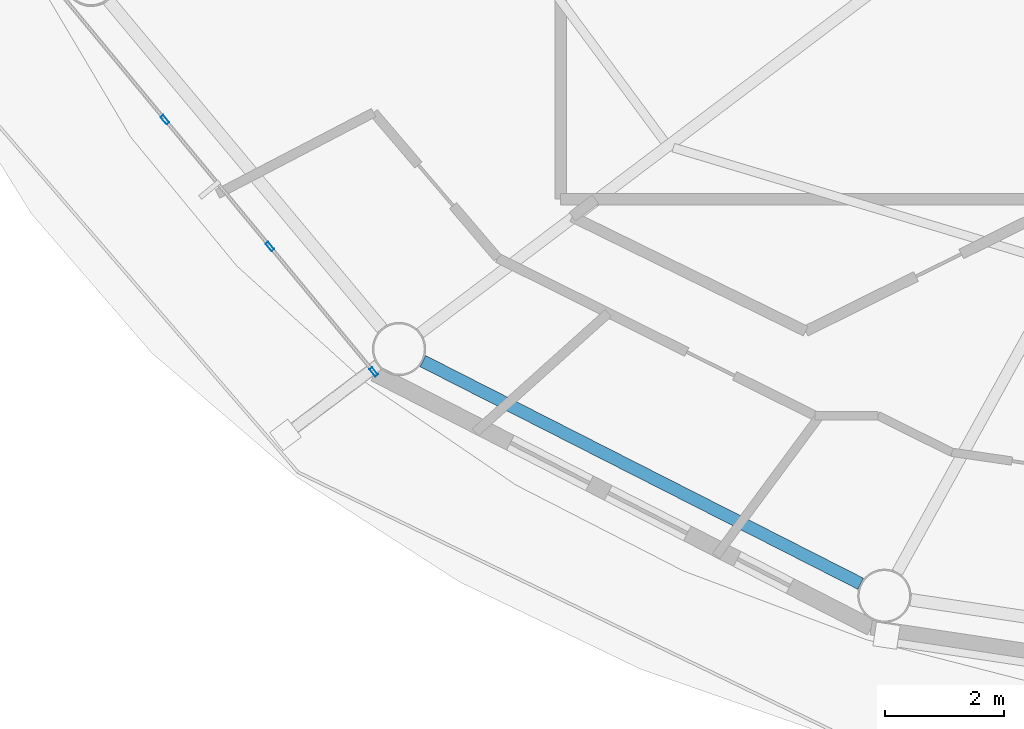
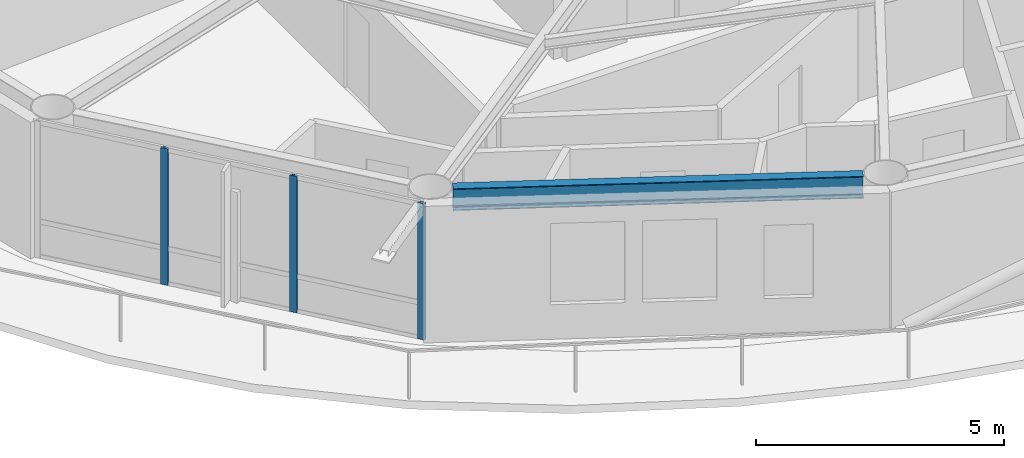
# One storey, part 2 of 23: 3 members, 1 beam, 1 element without a shape of its own.
"""IFC4 building model written with IfcOpenShell, lengths in metres."""

from ifc_helpers import new_model, si_unit, direction, frame, origin, origin_2d, place, context, subcontext, project, spatial, hollow_rectangle, i_section, extrude, material, layer, layer_set, material_profile, profile_set, type_object, element, aggregate, save


model = new_model("IFC4")

# Units and contexts
model_context = context("Model", 3, precision=1e-05, world=origin(), true_north=direction((0.0, 1.0)))
body_context = subcontext(model_context, "Body", "Model", "MODEL_VIEW")
ifc_project = project(units=[si_unit("LENGTHUNIT", "METRE"), si_unit("AREAUNIT", "SQUARE_METRE"), si_unit("VOLUMEUNIT", "CUBIC_METRE"), si_unit("PLANEANGLEUNIT", "RADIAN"), si_unit("MASSUNIT", "GRAM", prefix="KILO")], contexts=[model_context])

# Site, building, storey
site_placement = place(None, origin())
site = spatial("IfcSite", under=ifc_project, at=site_placement, CompositionType="ELEMENT")
building_placement = place(site_placement, origin())
building = spatial("IfcBuilding", under=site, at=building_placement, Name="Sarneth Arch Tower", CompositionType="ELEMENT")
storey_placement = place(building_placement, frame((0.0, 0.0, 220.800048828125)))
storey = spatial("IfcBuildingStorey", under=building, at=storey_placement, Name="L56", CompositionType="ELEMENT", Elevation=220.800048828125)

# Beam
ifc_material_1 = material(Name="Steel S355", Category="steel")
ifc_material_profile_1 = material_profile(ifc_material_1, i_section(OverallWidth=0.2109375, OverallDepth=0.5390625, WebThickness=0.01171875, FlangeThickness=0.018798828125, FilletRadius=0.01806640625, at=origin_2d()), Name="W530x109")
ifc_profile_set_1 = profile_set([ifc_material_profile_1], Name="Steel S355")
beam_type = type_object("IfcBeamType", Name="BM-RAD-530B", PredefinedType="BEAM", material=ifc_profile_set_1)
beam_placement = place(storey_placement, frame((30.42578125, 28.219482421875, 3.09033203125), z_axis=(0.891376248079, -0.453264144138, 0.0), x_axis=(0.453264144138, 0.891376248079, 0.0)))
element("IfcBeam", 1, at=beam_placement, inside=storey, type_object=beam_type, Name="L56 Perimeter spandrel beam 11", PredefinedType="BEAM", context=body_context, shape_type="SweptSolid", body=[
    extrude(i_section(OverallWidth=0.2109375, OverallDepth=0.5390625, WebThickness=0.01171875, FlangeThickness=0.018798828125, FilletRadius=0.01806640625, at=origin_2d()), origin(), (0.0, 0.0, 1.0), 8.281982421875),
])

# Curtain wall, members
ifc_material_2 = material(Name="Anodised aluminium Type AA25 and solar-control low-e laminated IGU", Category="aluminium")
ifc_layer = layer(ifc_material_2, 0.179931640625)
ifc_layer_set = layer_set([ifc_layer], Name="Anodised aluminium Type AA25 and solar-control low-e laminated IGU")
curtain_wall_type = type_object("IfcCurtainWallType", Name="CW-RES-HIGH", PredefinedType="NOTDEFINED", material=ifc_layer_set)
curtain_wall_placement = place(storey_placement, origin())
curtain_wall = element("IfcCurtainWall", 2, at=curtain_wall_placement, inside=storey, type_object=curtain_wall_type, Name="L56 Unitised curtain wall facet 10", PredefinedType="NOTDEFINED")
ifc_material_3 = material(Name="Anodised Aluminium 6063-T6", Category="aluminium")
ifc_material_profile_2 = material_profile(ifc_material_3, hollow_rectangle(XDim=0.06005859375, YDim=0.159912109375, WallThickness=0.00390625, at=origin_2d()), Name="AL-MULL-160x60x4")
ifc_profile_set_2 = profile_set([ifc_material_profile_2], Name="Anodised Aluminium 6063-T6")
member_type = type_object("IfcMemberType", Name="CW-MULLION", PredefinedType="MULLION", material=ifc_profile_set_2)
member_1_placement = place(storey_placement, frame((26.07666015625, 32.29150390625, 0.0), z_axis=(0.0, 0.0, 1.0), x_axis=(0.770359245933, 0.637610094184, 0.0)))
member_1 = element("IfcMember", 3, at=member_1_placement, type_object=member_type, Name="CW-SYS-6 mullion 2", PredefinedType="MULLION", context=body_context, shape_type="SweptSolid", body=[
    extrude(hollow_rectangle(XDim=0.06005859375, YDim=0.159912109375, WallThickness=0.00390625, at=origin_2d()), origin(), (0.0, 0.0, 1.0), 3.35986328125),
])
member_2_placement = place(storey_placement, frame((27.84716796875, 30.15234375, 0.0), z_axis=(0.0, 0.0, 1.0), x_axis=(0.770359245933, 0.637610094184, 0.0)))
member_2 = element("IfcMember", 4, at=member_2_placement, type_object=member_type, Name="CW-SYS-6 mullion 3", PredefinedType="MULLION", context=body_context, shape_type="SweptSolid", body=[
    extrude(hollow_rectangle(XDim=0.06005859375, YDim=0.159912109375, WallThickness=0.00390625, at=origin_2d()), origin(), (0.0, 0.0, 1.0), 3.35986328125),
])
member_3_placement = place(storey_placement, frame((29.598388671875, 28.03662109375, 0.0), z_axis=(0.0, 0.0, 1.0), x_axis=(0.770359245933, 0.637610094184, 0.0)))
member_3 = element("IfcMember", 5, at=member_3_placement, type_object=member_type, Name="CW-SYS-6 mullion 4", PredefinedType="MULLION", context=body_context, shape_type="SweptSolid", body=[
    extrude(hollow_rectangle(XDim=0.06005859375, YDim=0.159912109375, WallThickness=0.00390625, at=origin_2d()), origin(), (0.0, 0.0, 1.0), 3.35986328125),
])
aggregate(curtain_wall, [member_1, member_2, member_3])

save(model, "model.ifc")
